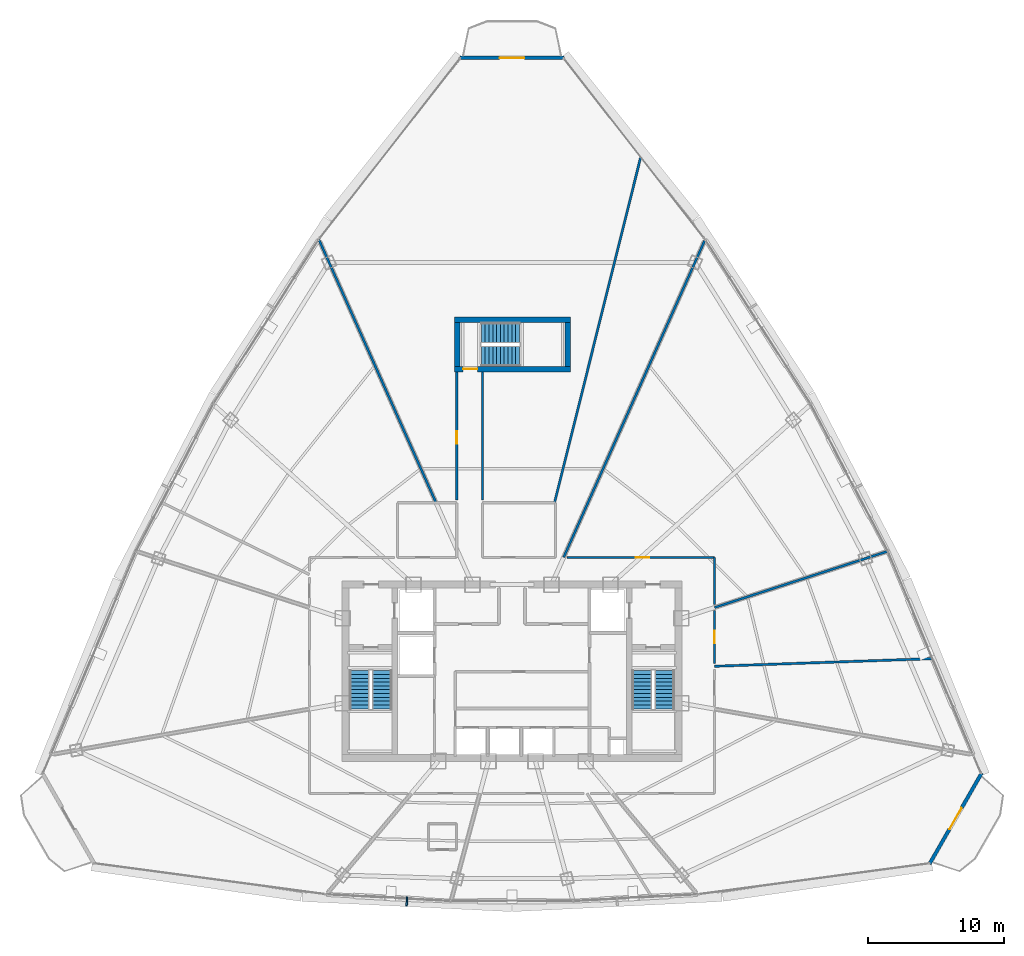
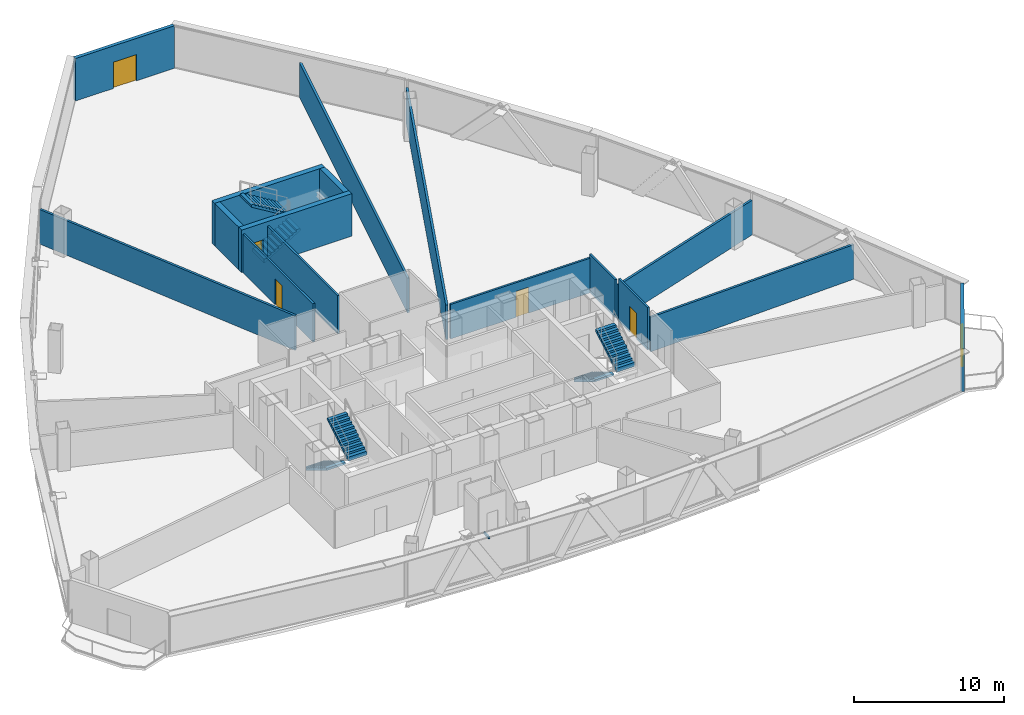
# One storey, part 32 of 37: 16 walls, 6 doors, 6 stair flights, 1 discrete accessory, 6 openings, 3 elements without a shape of their own.
"""IFC4 building model written with IfcOpenShell, lengths in metres."""

from ifc_helpers import new_model, si_unit, direction, frame, frame_2d, origin, origin_with_axes, origin_2d, place, context, subcontext, project, spatial, polyline, rectangle, outline, extrude, source, transform, mapped, material, layer, layer_set, type_object, element, fill, aggregate, save


model = new_model("IFC4")

# Units and contexts
model_context = context("Model", 3, precision=1e-05, world=origin(), true_north=direction((0.0, 1.0)))
body_context = subcontext(model_context, "Body", "Model", "MODEL_VIEW")
ifc_project = project(units=[si_unit("LENGTHUNIT", "METRE"), si_unit("AREAUNIT", "SQUARE_METRE"), si_unit("VOLUMEUNIT", "CUBIC_METRE"), si_unit("PLANEANGLEUNIT", "RADIAN"), si_unit("MASSUNIT", "GRAM", prefix="KILO"), si_unit("THERMODYNAMICTEMPERATUREUNIT", "KELVIN"), si_unit("POWERUNIT", "WATT")], contexts=[model_context])

# Site, building, storey
site_placement = place(None, origin())
site = spatial("IfcSite", under=ifc_project, at=site_placement, CompositionType="ELEMENT")
building_placement = place(site_placement, origin())
building = spatial("IfcBuilding", under=site, at=building_placement, Name="Yunzhuo Pagoda Commons", CompositionType="ELEMENT")
storey_placement = place(building_placement, frame((0.0, 0.0, 259.449951171875)))
storey = spatial("IfcBuildingStorey", under=building, at=storey_placement, Name="L65", CompositionType="ELEMENT", Elevation=259.449951171875)

# Wall, opening, door
ifc_material_1 = material(Name="Precast concrete C40", Category="concrete")
ifc_layer_1 = layer(ifc_material_1, 0.260009765625)
ifc_layer_set_1 = layer_set([ifc_layer_1], Name="Precast concrete C40")
wall_type_1 = type_object("IfcWallType", Name="W-BAL1 Corner Balcony Threshold Wall 260", PredefinedType="STANDARD", material=ifc_layer_set_1)
wall_1_placement = place(storey_placement, frame((78.593017578125, 19.728515625, 0.0), z_axis=(0.0, 0.0, 1.0), x_axis=(0.497934343816, 0.867214730761, 0.0)))
wall_1 = element("IfcWall", 1, at=wall_1_placement, inside=storey, type_object=wall_type_1, Name="L65 corner balcony wall V2", PredefinedType="STANDARD", context=body_context, shape_type="SweptSolid", body=[
    extrude(rectangle(XDim=7.68359375, YDim=0.260009765625, at=frame_2d((3.841796875, 0.0))), origin(), (0.0, 0.0, 1.0), 3.469970703125),
])
opening_1_placement = place(wall_1_placement, frame((2.94189453125, 0.0, 0.0)))
opening_1 = element("IfcOpeningElement", 2, at=opening_1_placement, cuts=wall_1, Name="Opening D-BAL1", PredefinedType="OPENING", context=body_context, shape_type="SweptSolid", body=[
    extrude(rectangle(XDim=1.800048828125, YDim=2.14990234375, at=frame_2d((0.89990234375, 1.074951171875))), frame((0.0, 0.14013671875, 0.0), z_axis=(0.0, -1.0, 0.0), x_axis=(1.0, 0.0, 0.0)), (0.0, 0.0, 1.0), 0.280029296875),
])
ifc_material_2 = material(Name="Anodized aluminium frame and tempered glazed leaf", Category="aluminium")
door_type_1 = type_object("IfcDoorType", Name="D-BAL1 Corner Balcony Sliding Glazed Door 1800x2150", OperationType="DOUBLE_DOOR_SLIDING", PredefinedType="DOOR", material=ifc_material_2)
shared_shape_1 = source(origin(), body_context, "Body", "SweptSolid", [
    extrude(rectangle(XDim=1.800048828125, YDim=2.14990234375, at=frame_2d((0.89990234375, 1.074951171875))), frame((0.0, 0.02490234375, 0.0), z_axis=(0.0, -1.0, 0.0), x_axis=(1.0, 0.0, 0.0)), (0.0, 0.0, 1.0), 0.050048828125),
])
door_1_placement = place(opening_1_placement, origin_with_axes())
door_1 = element("IfcDoor", 3, at=door_1_placement, inside=storey, type_object=door_type_1, Name="L65 corner balcony sliding door V2", OperationType="DOUBLE_DOOR_SLIDING", OverallHeight=2.14990234375, OverallWidth=1.800048828125, PredefinedType="DOOR", context=body_context, shape_type="MappedRepresentation", body=[
    mapped(shared_shape_1, transform((0.0, 0.0, 0.0), scale=1.0)),
])
fill(opening_1, door_1)

wall_2_placement = place(storey_placement, frame((51.826416015625, 78.797119140625, 0.0), z_axis=(0.0, 0.0, 1.0), x_axis=(-1.0, 0.0, 0.0)))
wall_2 = element("IfcWall", 4, at=wall_2_placement, inside=storey, type_object=wall_type_1, Name="L65 corner balcony wall V3", PredefinedType="STANDARD", context=body_context, shape_type="SweptSolid", body=[
    extrude(rectangle(XDim=7.65283203125, YDim=0.260009765625, at=frame_2d((3.826416015625, 0.0))), origin(), (0.0, 0.0, 1.0), 3.469970703125),
])
opening_2_placement = place(wall_2_placement, frame((2.926513671875, 0.0, 0.0)))
opening_2 = element("IfcOpeningElement", 5, at=opening_2_placement, cuts=wall_2, Name="Opening D-BAL1", PredefinedType="OPENING", context=body_context, shape_type="SweptSolid", body=[
    extrude(rectangle(XDim=1.800048828125, YDim=2.14990234375, at=frame_2d((0.89990234375, 1.074951171875))), frame((0.0, 0.14013671875, 0.0), z_axis=(0.0, -1.0, 0.0), x_axis=(1.0, 0.0, 0.0)), (0.0, 0.0, 1.0), 0.280029296875),
])
door_2_placement = place(opening_2_placement, origin_with_axes())
door_2 = element("IfcDoor", 6, at=door_2_placement, inside=storey, type_object=door_type_1, Name="L65 corner balcony sliding door V3", OperationType="DOUBLE_DOOR_SLIDING", OverallHeight=2.14990234375, OverallWidth=1.800048828125, PredefinedType="DOOR", context=body_context, shape_type="MappedRepresentation", body=[
    mapped(shared_shape_1, transform((0.0, 0.0, 0.0), scale=1.0)),
])
fill(opening_2, door_2)

ifc_material_3 = material(Name="Gypsum plasterboard on acoustic stud")
ifc_layer_2 = layer(ifc_material_3, 0.14990234375)
ifc_layer_set_2 = layer_set([ifc_layer_2], Name="Gypsum plasterboard on acoustic stud")
wall_type_2 = type_object("IfcWallType", Name="W-COR3 High-Zone Rated Corridor Wall 150", PredefinedType="PARTITIONING", material=ifc_layer_set_2)
wall_3_placement = place(storey_placement, frame((43.949951171875, 46.419921875, 0.0), z_axis=(0.0, 0.0, 1.0), x_axis=(0.0, 1.0, 0.0)))
wall_3 = element("IfcWall", 7, at=wall_3_placement, inside=storey, type_object=wall_type_2, Name="L65 interior wall IW-L65-CWL06", PredefinedType="PARTITIONING", context=body_context, shape_type="SweptSolid", body=[
    extrude(rectangle(XDim=9.360107421875, YDim=0.14990234375, at=frame_2d((4.68017578125, 0.0))), origin(), (0.0, 0.0, 1.0), 3.1201171875),
])
opening_3_placement = place(wall_3_placement, frame((4.110107421875, 0.0, 0.0)))
opening_3 = element("IfcOpeningElement", 8, at=opening_3_placement, cuts=wall_3, Name="Opening D-04", PredefinedType="OPENING", context=body_context, shape_type="SweptSolid", body=[
    extrude(rectangle(XDim=0.919921875, YDim=2.10009765625, at=frame_2d((0.4599609375, 1.050048828125))), frame((0.0, 0.0849609375, 0.0), z_axis=(0.0, -1.0, 0.0), x_axis=(1.0, 0.0, 0.0)), (0.0, 0.0, 1.0), 0.169921875),
])
ifc_material_4 = material(Name="Powder-coated aluminium and timber acoustic leaf", Category="wood")
door_type_2 = type_object("IfcDoorType", Name="D-04 Bedroom & Study Interior Door 920x2100", OperationType="NOTDEFINED", PredefinedType="DOOR", material=ifc_material_4)
shared_shape_2 = source(origin(), body_context, "Body", "SweptSolid", [
    extrude(rectangle(XDim=0.919921875, YDim=2.10009765625, at=frame_2d((0.4599609375, 1.050048828125))), frame((0.0, 0.02490234375, 0.0), z_axis=(0.0, -1.0, 0.0), x_axis=(1.0, 0.0, 0.0)), (0.0, 0.0, 1.0), 0.050048828125),
])
door_3_placement = place(opening_3_placement, origin_with_axes())
door_3 = element("IfcDoor", 9, at=door_3_placement, inside=storey, type_object=door_type_2, Name="L65 seminar room 04 door", OperationType="SINGLE_SWING_RIGHT", OverallHeight=2.10009765625, OverallWidth=0.919921875, PredefinedType="DOOR", context=body_context, shape_type="MappedRepresentation", body=[
    mapped(shared_shape_2, transform((0.0, 0.0, 0.0), scale=1.0)),
])
fill(opening_3, door_3)

# Wall
wall_4_placement = place(storey_placement, frame((45.85009765625, 55.780029296875, 0.0), z_axis=(0.0, 0.0, 1.0), x_axis=(0.0, -1.0, 0.0)))
element("IfcWall", 10, at=wall_4_placement, inside=storey, type_object=wall_type_2, Name="L65 interior wall IW-L65-CWL07", PredefinedType="PARTITIONING", context=body_context, shape_type="SweptSolid", body=[
    extrude(rectangle(XDim=9.360107421875, YDim=0.14990234375, at=frame_2d((4.68017578125, 0.0))), origin(), (0.0, 0.0, 1.0), 3.1201171875),
])

# Wall, opening, door
wall_5_placement = place(storey_placement, frame((52.025146484375, 42.199951171875, 0.0), z_axis=(0.0, 0.0, 1.0), x_axis=(1.0, 0.0, 0.0)))
wall_5 = element("IfcWall", 11, at=wall_5_placement, inside=storey, type_object=wall_type_2, Name="L65 interior wall IW-L65-CWL08", PredefinedType="PARTITIONING", context=body_context, shape_type="SweptSolid", body=[
    extrude(rectangle(XDim=10.824951171875, YDim=0.14990234375, at=frame_2d((5.41259765625, 0.0))), origin(), (0.0, 0.0, 1.0), 2.820068359375),
])
opening_4_placement = place(wall_5_placement, frame((5.047119140625, 0.0, 0.0)))
opening_4 = element("IfcOpeningElement", 12, at=opening_4_placement, cuts=wall_5, Name="Opening D-08", PredefinedType="OPENING", context=body_context, shape_type="SweptSolid", body=[
    extrude(rectangle(XDim=0.97998046875, YDim=2.1201171875, at=frame_2d((0.489990234375, 1.06005859375))), frame((0.0, 0.0849609375, 0.0), z_axis=(0.0, -1.0, 0.0), x_axis=(1.0, 0.0, 0.0)), (0.0, 0.0, 1.0), 0.169921875),
])
ifc_material_5 = material(Name="Galvanized fire-resisting metal leaf")
door_type_3 = type_object("IfcDoorType", Name="D-08 High-Zone Suite Entrance Fire Door 980x2120", OperationType="NOTDEFINED", PredefinedType="DOOR", material=ifc_material_5)
shared_shape_3 = source(origin(), body_context, "Body", "SweptSolid", [
    extrude(rectangle(XDim=0.97998046875, YDim=2.1201171875, at=frame_2d((0.489990234375, 1.06005859375))), frame((0.0, 0.02490234375, 0.0), z_axis=(0.0, -1.0, 0.0), x_axis=(1.0, 0.0, 0.0)), (0.0, 0.0, 1.0), 0.050048828125),
])
door_4_placement = place(opening_4_placement, origin_with_axes())
door_4 = element("IfcDoor", 13, at=door_4_placement, inside=storey, type_object=door_type_3, Name="L65 Shared Resident Kitchen and Pantry door", OperationType="SINGLE_SWING_RIGHT", OverallHeight=2.1201171875, OverallWidth=0.97998046875, PredefinedType="DOOR", context=body_context, shape_type="MappedRepresentation", body=[
    mapped(shared_shape_3, transform((0.0, 0.0, 0.0), scale=1.0)),
])
fill(opening_4, door_4)

# Wall
wall_6_placement = place(storey_placement, frame((62.85009765625, 42.199951171875, 0.0), z_axis=(0.0, 0.0, 1.0), x_axis=(0.0, -1.0, 0.0)))
element("IfcWall", 14, at=wall_6_placement, inside=storey, type_object=wall_type_2, Name="L65 interior wall IW-L65-CWL09", PredefinedType="PARTITIONING", context=body_context, shape_type="SweptSolid", body=[
    extrude(rectangle(XDim=3.443603515625, YDim=0.14990234375, at=frame_2d((1.7216796875, 0.0))), origin(), (0.0, 0.0, 1.0), 3.1201171875),
])

# Wall, opening, door
wall_7_placement = place(storey_placement, frame((62.85009765625, 38.305419921875, 0.0), z_axis=(0.0, 0.0, 1.0), x_axis=(0.0, -1.0, 0.0)))
wall_7 = element("IfcWall", 15, at=wall_7_placement, inside=storey, type_object=wall_type_2, Name="L65 interior wall IW-L65-CWL10", PredefinedType="PARTITIONING", context=body_context, shape_type="SweptSolid", body=[
    extrude(rectangle(XDim=3.86669921875, YDim=0.14990234375, at=frame_2d((1.933349609375, 0.0))), origin(), (0.0, 0.0, 1.0), 3.469970703125),
])
opening_5_placement = place(wall_7_placement, frame((1.473388671875, 0.0, 0.0)))
opening_5 = element("IfcOpeningElement", 16, at=opening_5_placement, cuts=wall_7, Name="Opening D-04", PredefinedType="OPENING", context=body_context, shape_type="SweptSolid", body=[
    extrude(rectangle(XDim=0.919921875, YDim=2.10009765625, at=frame_2d((0.4599609375, 1.050048828125))), frame((0.0, 0.0849609375, 0.0), z_axis=(0.0, -1.0, 0.0), x_axis=(1.0, 0.0, 0.0)), (0.0, 0.0, 1.0), 0.169921875),
])
door_5_placement = place(opening_5_placement, origin_with_axes())
door_5 = element("IfcDoor", 17, at=door_5_placement, inside=storey, type_object=door_type_2, Name="L65 seminar room 01 door", OperationType="SINGLE_SWING_LEFT", OverallHeight=2.10009765625, OverallWidth=0.919921875, PredefinedType="DOOR", context=body_context, shape_type="MappedRepresentation", body=[
    mapped(shared_shape_2, transform((0.0, 0.0, 0.0), scale=1.0)),
])
fill(opening_5, door_5)

# Walls
ifc_layer_3 = layer(ifc_material_3, 0.169921875)
ifc_layer_set_3 = layer_set([ifc_layer_3], Name="Gypsum plasterboard on acoustic stud")
wall_type_3 = type_object("IfcWallType", Name="W-PRT4 High-Zone Demising Wall 170", PredefinedType="PARTITIONING", material=ifc_layer_set_3)
wall_8_placement = place(storey_placement, frame((62.85009765625, 34.218505859375, 0.0), z_axis=(0.0, 0.0, 1.0), x_axis=(0.99939049717, 0.034908941063, 0.0)))
element("IfcWall", 18, at=wall_8_placement, inside=storey, type_object=wall_type_3, Name="L65 interior wall IW-L65-RAD01", PredefinedType="PARTITIONING", context=body_context, shape_type="SweptSolid", body=[
    extrude(rectangle(XDim=16.00146484375, YDim=0.169921875, at=frame_2d((8.000732421875, 0.0))), origin(), (0.0, 0.0, 1.0), 2.820068359375),
])
wall_9_placement = place(storey_placement, frame((62.85009765625, 38.525146484375, 0.0), z_axis=(0.0, 0.0, 1.0), x_axis=(0.951055435747, 0.30902031994, 0.0)))
element("IfcWall", 19, at=wall_9_placement, inside=storey, type_object=wall_type_3, Name="L65 interior wall IW-L65-RAD02", PredefinedType="PARTITIONING", context=body_context, shape_type="SweptSolid", body=[
    extrude(rectangle(XDim=13.349365234375, YDim=0.169921875, at=frame_2d((6.6748046875, 0.0))), origin(), (0.0, 0.0, 1.0), 2.820068359375),
])
wall_10_placement = place(storey_placement, frame((51.784423828125, 42.199951171875, 0.0), z_axis=(0.0, 0.0, 1.0), x_axis=(0.406736188948, 0.913545659833, 0.0)))
element("IfcWall", 20, at=wall_10_placement, inside=storey, type_object=wall_type_3, Name="L65 interior wall IW-L65-RAD03", PredefinedType="PARTITIONING", context=body_context, shape_type="SweptSolid", body=[
    extrude(rectangle(XDim=25.501220703125, YDim=0.169921875, at=frame_2d((12.75048828125, 0.0))), origin(), (0.0, 0.0, 1.0), 2.820068359375),
])
wall_11_placement = place(storey_placement, frame((51.11669921875, 46.199951171875, 0.0), z_axis=(0.0, 0.0, 1.0), x_axis=(0.241915360039, 0.970297355751, 0.0)))
element("IfcWall", 21, at=wall_11_placement, inside=storey, type_object=wall_type_3, Name="L65 interior wall IW-L65-RAD04", PredefinedType="PARTITIONING", context=body_context, shape_type="SweptSolid", body=[
    extrude(rectangle(XDim=26.119140625, YDim=0.169921875, at=frame_2d((13.0595703125, 0.0))), origin(), (0.0, 0.0, 1.0), 2.820068359375),
])
wall_12_placement = place(storey_placement, frame((42.4345703125, 46.199951171875, 0.0), z_axis=(0.0, 0.0, 1.0), x_axis=(-0.406732494706, 0.913547304605, 0.0)))
element("IfcWall", 22, at=wall_12_placement, inside=storey, type_object=wall_type_3, Name="L65 interior wall IW-L65-RAD05", PredefinedType="PARTITIONING", context=body_context, shape_type="SweptSolid", body=[
    extrude(rectangle(XDim=21.122802734375, YDim=0.169921875, at=frame_2d((10.5615234375, 0.0))), origin(), (0.0, 0.0, 1.0), 2.820068359375),
])
ifc_material_6 = material(Name="Concrete C60", Category="concrete")
ifc_layer_4 = layer(ifc_material_6, 0.39990234375)
ifc_layer_set_4 = layer_set([ifc_layer_4], Name="Concrete C60")
wall_type_4 = type_object("IfcWallType", Name="W-S01 Internal Core Shear Web 400", PredefinedType="SHEAR", material=ifc_layer_set_4)
wall_13_placement = place(storey_placement, frame((43.800048828125, 59.60009765625, 0.0), z_axis=(0.0, 0.0, 1.0), x_axis=(1.0, 0.0, 0.0)))
element("IfcWall", 23, at=wall_13_placement, inside=storey, type_object=wall_type_4, Name="L65 ST3 structural stair wall N", PredefinedType="SHEAR", context=body_context, shape_type="SweptSolid", body=[
    extrude(rectangle(XDim=8.5, YDim=0.39990234375, at=frame_2d((4.25, 0.0))), origin(), (0.0, 0.0, 1.0), 3.469970703125),
])

# Wall, opening, door
wall_14_placement = place(storey_placement, frame((43.800048828125, 56.0, 0.0), z_axis=(0.0, 0.0, 1.0), x_axis=(1.0, 0.0, 0.0)))
wall_14 = element("IfcWall", 24, at=wall_14_placement, inside=storey, type_object=wall_type_4, Name="L65 ST3 structural stair wall S", PredefinedType="SHEAR", context=body_context, shape_type="SweptSolid", body=[
    extrude(rectangle(XDim=8.5, YDim=0.39990234375, at=frame_2d((4.25, 0.0))), origin(), (0.0, 0.0, 1.0), 3.469970703125),
])
opening_6_placement = place(wall_14_placement, frame((0.6201171875, 0.0, 0.0)))
opening_6 = element("IfcOpeningElement", 25, at=opening_6_placement, cuts=wall_14, Name="Opening D-01", PredefinedType="OPENING", context=body_context, shape_type="SweptSolid", body=[
    extrude(rectangle(XDim=1.050048828125, YDim=2.10009765625, at=frame_2d((0.52490234375, 1.050048828125))), frame((0.0, 0.2099609375, 0.0), z_axis=(0.0, -1.0, 0.0), x_axis=(1.0, 0.0, 0.0)), (0.0, 0.0, 1.0), 0.419921875),
])
door_type_4 = type_object("IfcDoorType", Name="D-01 Smokeproof Stair Fire Door 1050x2100", OperationType="NOTDEFINED", PredefinedType="DOOR", material=ifc_material_5)
shared_shape_4 = source(origin(), body_context, "Body", "SweptSolid", [
    extrude(rectangle(XDim=1.050048828125, YDim=2.10009765625, at=frame_2d((0.52490234375, 1.050048828125))), frame((0.0, 0.02490234375, 0.0), z_axis=(0.0, -1.0, 0.0), x_axis=(1.0, 0.0, 0.0)), (0.0, 0.0, 1.0), 0.050048828125),
])
door_6_placement = place(opening_6_placement, frame((1.050048828125, 0.0, 0.0), z_axis=(0.0, 0.0, 1.0), x_axis=(-1.0, 0.0, 0.0)))
door_6 = element("IfcDoor", 26, at=door_6_placement, inside=storey, type_object=door_type_4, Name="L65 Stair ST3 fire door", OperationType="SINGLE_SWING_LEFT", OverallHeight=2.10009765625, OverallWidth=1.050048828125, PredefinedType="DOOR", context=body_context, shape_type="MappedRepresentation", body=[
    mapped(shared_shape_4, transform((0.0, 0.0, 0.0), scale=1.0)),
])
fill(opening_6, door_6)

# Walls
for number, where, z_axis, x_axis, name in (
    (27, (44.0, 56.199951171875, 0.0), (0.0, 0.0, 1.0), (0.0, 1.0, 0.0), "L65 ST3 structural stair wall W"),
    (28, (52.10009765625, 56.199951171875, 0.0), (0.0, 0.0, 1.0), (0.0, 1.0, 0.0), "L65 ST3 structural stair wall E"),
):
    element("IfcWall", number, at=place(storey_placement, frame(where, z_axis=z_axis, x_axis=x_axis)), inside=storey, type_object=wall_type_4, Name=name, PredefinedType="SHEAR", context=body_context, shape_type="SweptSolid", body=[
        extrude(rectangle(XDim=3.199951171875, YDim=0.39990234375, at=frame_2d((1.60009765625, 0.0))), origin(), (0.0, 0.0, 1.0), 3.469970703125),
    ])

# Stair, stair flights
ifc_material_7 = material(Name="Concrete C40", Category="concrete")
stair_type_1 = type_object("IfcStairType", Name="ST-C1 Core Smokeproof Stair ST1", PredefinedType="HALF_TURN_STAIR", material=ifc_material_7)
stair_1_placement = place(storey_placement, origin())
stair_1 = element("IfcStair", 29, at=stair_1_placement, inside=storey, type_object=stair_type_1, Name="L65 Core smokeproof stair ST1", PredefinedType="HALF_TURN_STAIR")
stair_flight_type_1 = type_object("IfcStairFlightType", Name="STF-C1 Core Stair Flight 1450", PredefinedType="STRAIGHT", material=ifc_material_7)
shared_shape_5 = source(origin(), body_context, "Body", "SweptSolid", [
    extrude(outline(polyline([(0.0, -0.14990234375), (0.0, 0.0), (0.0, 0.16943359375), (0.280029296875, 0.16943359375), (0.280029296875, 0.339111328125), (0.56005859375, 0.339111328125), (0.56005859375, 0.508544921875), (0.840087890625, 0.508544921875), (0.840087890625, 0.67822265625), (1.1201171875, 0.67822265625), (1.1201171875, 0.84765625), (1.39990234375, 0.84765625), (1.39990234375, 1.017333984375), (1.679931640625, 1.017333984375), (1.679931640625, 1.186767578125), (1.9599609375, 1.186767578125), (1.9599609375, 1.3564453125), (2.239990234375, 1.3564453125), (2.239990234375, 1.52587890625), (2.52001953125, 1.52587890625), (2.52001953125, 1.695556640625), (2.800048828125, 1.695556640625), (2.800048828125, 1.864990234375), (2.800048828125, 1.520263671875), (0.289306640625, 0.0), (0.050048828125, -0.14990234375), (0.0, -0.14990234375)])), frame((0.0, 0.72509765625, 0.0), z_axis=(0.0, -1.0, 0.0), x_axis=(1.0, 0.0, 0.0)), (0.0, 0.0, 1.0), 1.449951171875),
])
stair_flight_1_placement = place(storey_placement, frame((36.824951171875, 33.89990234375, 0.0), z_axis=(0.0, 0.0, 1.0), x_axis=(0.0, -1.0, 0.0)))
stair_flight_1 = element("IfcStairFlight", 30, at=stair_flight_1_placement, type_object=stair_flight_type_1, Name="ST1 flight 1", NumberOfRisers=11, NumberOfTreads=10, PredefinedType="STRAIGHT", RiserHeight=0.169545455, TreadLength=0.28, context=body_context, shape_type="MappedRepresentation", body=[
    mapped(shared_shape_5, transform((0.0, 0.0, 0.0), scale=1.0)),
])
stair_flight_2_placement = place(storey_placement, frame((38.47509765625, 31.10009765625, 1.864990234375), z_axis=(0.0, 0.0, 1.0), x_axis=(0.0, 1.0, 0.0)))
stair_flight_2 = element("IfcStairFlight", 31, at=stair_flight_2_placement, type_object=stair_flight_type_1, Name="ST1 flight 2", NumberOfRisers=11, NumberOfTreads=10, PredefinedType="STRAIGHT", RiserHeight=0.169545455, TreadLength=0.28, context=body_context, shape_type="MappedRepresentation", body=[
    mapped(shared_shape_5, transform((0.0, 0.0, 0.0), scale=1.0)),
])
aggregate(stair_1, [stair_flight_1, stair_flight_2])

stair_type_2 = type_object("IfcStairType", Name="ST-C2 Core Smokeproof Stair ST2", PredefinedType="HALF_TURN_STAIR", material=ifc_material_7)
stair_2_placement = place(storey_placement, origin())
stair_2 = element("IfcStair", 32, at=stair_2_placement, inside=storey, type_object=stair_type_2, Name="L65 Core smokeproof stair ST2", PredefinedType="HALF_TURN_STAIR")
stair_flight_type_2 = type_object("IfcStairFlightType", Name="STF-C2 Core Stair Flight 1460", PredefinedType="STRAIGHT", material=ifc_material_7)
stair_flight_3_placement = place(storey_placement, frame((57.52490234375, 33.89990234375, 0.0), z_axis=(0.0, 0.0, 1.0), x_axis=(0.0, -1.0, 0.0)))
stair_flight_3 = element("IfcStairFlight", 33, at=stair_flight_3_placement, type_object=stair_flight_type_2, Name="ST2 flight 1", NumberOfRisers=11, NumberOfTreads=10, PredefinedType="STRAIGHT", RiserHeight=0.169545455, TreadLength=0.28, context=body_context, shape_type="MappedRepresentation", body=[
    mapped(shared_shape_5, transform((0.0, 0.0, 0.0), scale=1.0)),
])
stair_flight_4_placement = place(storey_placement, frame((59.175048828125, 31.10009765625, 1.864990234375), z_axis=(0.0, 0.0, 1.0), x_axis=(0.0, 1.0, 0.0)))
stair_flight_4 = element("IfcStairFlight", 34, at=stair_flight_4_placement, type_object=stair_flight_type_2, Name="ST2 flight 2", NumberOfRisers=11, NumberOfTreads=10, PredefinedType="STRAIGHT", RiserHeight=0.169545455, TreadLength=0.28, context=body_context, shape_type="MappedRepresentation", body=[
    mapped(shared_shape_5, transform((0.0, 0.0, 0.0), scale=1.0)),
])
aggregate(stair_2, [stair_flight_3, stair_flight_4])

stair_type_3 = type_object("IfcStairType", Name="ST-C3 North Tower Smokeproof Stair ST3", PredefinedType="HALF_TURN_STAIR", material=ifc_material_7)
stair_3_placement = place(storey_placement, origin())
stair_3 = element("IfcStair", 35, at=stair_3_placement, inside=storey, type_object=stair_type_3, Name="L65 North tower smokeproof stair ST3", PredefinedType="HALF_TURN_STAIR")
stair_flight_type_3 = type_object("IfcStairFlightType", Name="STF-C3 North Stair Flight 1500", PredefinedType="STRAIGHT", material=ifc_material_7)
shared_shape_6 = source(origin(), body_context, "Body", "SweptSolid", [
    extrude(outline(polyline([(0.0, -0.14990234375), (0.0, 0.0), (0.0, 0.16943359375), (0.280029296875, 0.16943359375), (0.280029296875, 0.339111328125), (0.56005859375, 0.339111328125), (0.56005859375, 0.508544921875), (0.840087890625, 0.508544921875), (0.840087890625, 0.67822265625), (1.1201171875, 0.67822265625), (1.1201171875, 0.84765625), (1.39990234375, 0.84765625), (1.39990234375, 1.017333984375), (1.679931640625, 1.017333984375), (1.679931640625, 1.186767578125), (1.9599609375, 1.186767578125), (1.9599609375, 1.3564453125), (2.239990234375, 1.3564453125), (2.239990234375, 1.52587890625), (2.52001953125, 1.52587890625), (2.52001953125, 1.695556640625), (2.800048828125, 1.695556640625), (2.800048828125, 1.864990234375), (2.800048828125, 1.520263671875), (0.289306640625, 0.0), (0.050048828125, -0.14990234375), (0.0, -0.14990234375)])), frame((0.0, 0.75, 0.0), z_axis=(0.0, -1.0, 0.0), x_axis=(1.0, 0.0, 0.0)), (0.0, 0.0, 1.0), 1.5),
])
stair_flight_5_placement = place(storey_placement, frame((45.75, 56.949951171875, 0.0), z_axis=(0.0, 0.0, 1.0), x_axis=(1.0, 0.0, 0.0)))
stair_flight_5 = element("IfcStairFlight", 36, at=stair_flight_5_placement, type_object=stair_flight_type_3, Name="ST3 flight 1", NumberOfRisers=11, NumberOfTreads=10, PredefinedType="STRAIGHT", RiserHeight=0.169545455, TreadLength=0.28, context=body_context, shape_type="MappedRepresentation", body=[
    mapped(shared_shape_6, transform((0.0, 0.0, 0.0), scale=1.0)),
])
stair_flight_6_placement = place(storey_placement, frame((48.550048828125, 58.64990234375, 1.864990234375), z_axis=(0.0, 0.0, 1.0), x_axis=(-1.0, 0.0, 0.0)))
stair_flight_6 = element("IfcStairFlight", 37, at=stair_flight_6_placement, type_object=stair_flight_type_3, Name="ST3 flight 2", NumberOfRisers=11, NumberOfTreads=10, PredefinedType="STRAIGHT", RiserHeight=0.169545455, TreadLength=0.28, context=body_context, shape_type="MappedRepresentation", body=[
    mapped(shared_shape_6, transform((0.0, 0.0, 0.0), scale=1.0)),
])
aggregate(stair_3, [stair_flight_5, stair_flight_6])

# Discrete accessory
ifc_material_8 = material(Name="Anodized aluminium 6063-T6", Category="aluminium")
discrete_accessory_type = type_object("IfcDiscreteAccessoryType", Name="BK-SUN1 Sunshade Outrigger Bracket", PredefinedType="BRACKET", material=ifc_material_8)
shared_shape_7 = source(origin(), body_context, "Body", "SweptSolid", [
    extrude(rectangle(XDim=0.1201171875, YDim=0.679931640625, at=origin_2d()), origin(), (0.0, 0.0, 1.0), 0.179931640625),
])
discrete_accessory_placement = place(storey_placement, frame((40.295166015625, 16.972900390625, 3.26025390625), z_axis=(0.0, 0.0, 1.0), x_axis=(0.998818043775, -0.04860571396, 0.0)))
element("IfcDiscreteAccessory", 38, at=discrete_accessory_placement, inside=storey, type_object=discrete_accessory_type, Name="L65 sunshade outrigger bracket F1.2", PredefinedType="BRACKET", context=body_context, shape_type="MappedRepresentation", body=[
    mapped(shared_shape_7, transform((0.0, 0.0, 0.0), scale=1.0)),
])

save(model, "model.ifc")
